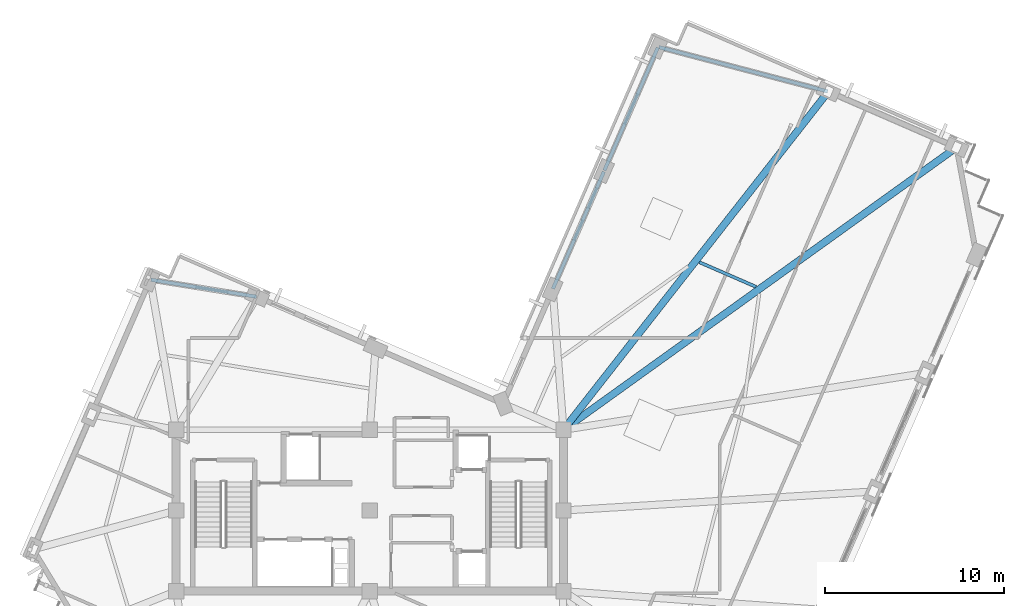
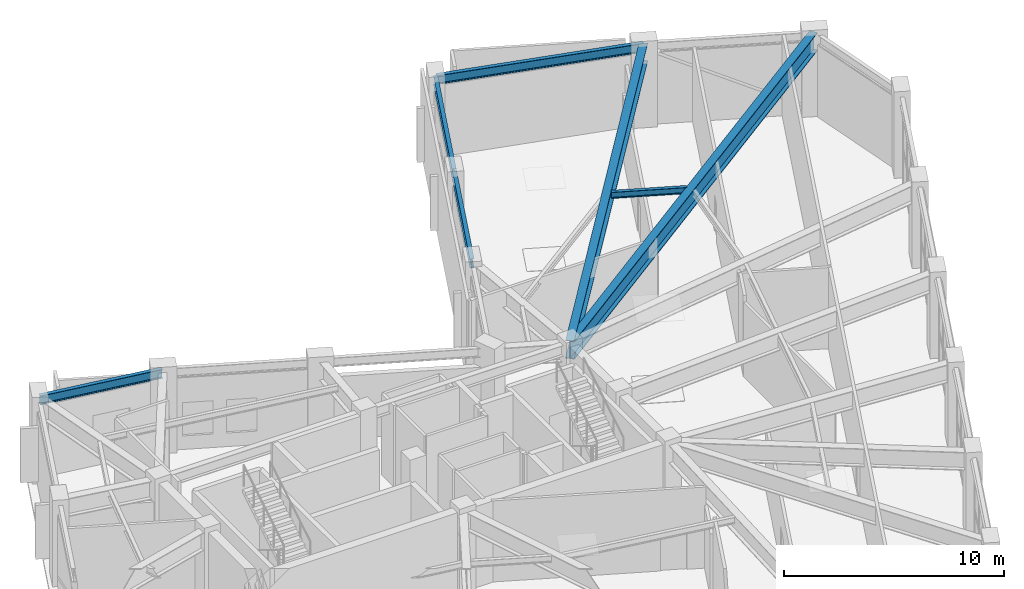
# One storey, part 6 of 16: 7 beams.
"""IFC4 building model written with IfcOpenShell, lengths in metres."""

from ifc_helpers import new_model, si_unit, direction, frame, origin, origin_2d, place, context, subcontext, project, spatial, i_section, extrude, material, material_profile, profile_set, type_object, element, save


model = new_model("IFC4")

# Units and contexts
model_context = context("Model", 3, precision=1e-05, world=origin(), true_north=direction((0.0, 1.0)))
body_context = subcontext(model_context, "Body", "Model", "MODEL_VIEW")
ifc_project = project(units=[si_unit("LENGTHUNIT", "METRE"), si_unit("AREAUNIT", "SQUARE_METRE"), si_unit("VOLUMEUNIT", "CUBIC_METRE"), si_unit("PLANEANGLEUNIT", "RADIAN"), si_unit("MASSUNIT", "GRAM", prefix="KILO")], contexts=[model_context])

# Site, building, storey
site_placement = place(None, origin())
site = spatial("IfcSite", under=ifc_project, at=site_placement, CompositionType="ELEMENT")
building_placement = place(site_placement, origin())
building = spatial("IfcBuilding", under=site, at=building_placement, Name="Gaonmaruhae Medical Tower", CompositionType="ELEMENT")
storey_placement = place(building_placement, frame((0.0, 0.0, 333.39990234375)))
storey = spatial("IfcBuildingStorey", under=building, at=storey_placement, Name="L80", CompositionType="ELEMENT", Elevation=333.39990234375)

# Beams
ifc_material_1 = material(Name="Steel SM420", Category="steel")
ifc_material_profile_1 = material_profile(ifc_material_1, i_section(OverallWidth=0.39990234375, OverallDepth=1.0, WebThickness=0.02197265625, FlangeThickness=0.035888671875, at=origin_2d()), Name="BH-1000x400x22x36")
ifc_profile_set_1 = profile_set([ifc_material_profile_1], Name="Steel SM420")
beam_type_1 = type_object("IfcBeamType", Name="BG-02 Refuge Floor Primary Girder (BH-1000x400x22x36)", PredefinedType="BEAM", material=ifc_profile_set_1)
beam_1_placement = place(storey_placement, frame((35.640625, 16.8291015625, 4.0), z_axis=(0.812127869731, 0.583479496818, 0.0), x_axis=(-0.583479496818, 0.812127869731, 0.0)))
element("IfcBeam", 1, at=beam_1_placement, inside=storey, type_object=beam_type_1, Name="L80 Radial Primary Girder E01", PredefinedType="BEAM", context=body_context, shape_type="SweptSolid", body=[
    extrude(i_section(OverallWidth=0.39990234375, OverallDepth=1.0, WebThickness=0.02197265625, FlangeThickness=0.035888671875, at=origin_2d()), origin(), (0.0, 0.0, 1.0), 26.89794921875),
])
beam_2_placement = place(storey_placement, frame((35.630859375, 16.83935546875, 4.0), z_axis=(0.616575305367, 0.78729593725, 0.0), x_axis=(-0.78729593725, 0.616575305367, 0.0)))
element("IfcBeam", 2, at=beam_2_placement, inside=storey, type_object=beam_type_1, Name="L80 Radial Primary Girder E02", PredefinedType="BEAM", context=body_context, shape_type="SweptSolid", body=[
    extrude(i_section(OverallWidth=0.39990234375, OverallDepth=1.0, WebThickness=0.02197265625, FlangeThickness=0.035888671875, at=origin_2d()), origin(), (0.0, 0.0, 1.0), 23.859130859375),
])
ifc_material_2 = material(Name="Steel SM355", Category="steel")
ifc_material_profile_2 = material_profile(ifc_material_2, i_section(OverallWidth=0.175048828125, OverallDepth=0.35009765625, WebThickness=0.007080078125, FlangeThickness=0.010986328125, FilletRadius=0.012939453125, at=origin_2d()), Name="H-350x175x7x11")
ifc_profile_set_2 = profile_set([ifc_material_profile_2], Name="Steel SM355")
beam_type_2 = type_object("IfcBeamType", Name="FJ-02 Upper Zone Ward Floor Joist (H-350x175x7x11)", PredefinedType="JOIST", material=ifc_profile_set_2)
beam_3_placement = place(storey_placement, frame((46.34375, 24.771484375, 4.3251953125), z_axis=(-0.917037412136, 0.39880118448, 0.0), x_axis=(-0.39880118448, -0.917037412136, 0.0)))
element("IfcBeam", 3, at=beam_3_placement, inside=storey, type_object=beam_type_2, Name="L80 Secondary Floor Joist FJ06", PredefinedType="JOIST", context=body_context, shape_type="SweptSolid", body=[
    extrude(i_section(OverallWidth=0.175048828125, OverallDepth=0.35009765625, WebThickness=0.007080078125, FlangeThickness=0.010986328125, FilletRadius=0.012939453125, at=origin_2d()), origin(), (0.0, 0.0, 1.0), 3.448486328125),
])
ifc_material_profile_3 = material_profile(ifc_material_2, i_section(OverallWidth=0.199951171875, OverallDepth=0.5, WebThickness=0.010009765625, FlangeThickness=0.01611328125, FilletRadius=0.012939453125, at=origin_2d()), Name="H-500x200x10x16")
ifc_profile_set_3 = profile_set([ifc_material_profile_3], Name="Steel SM355")
beam_type_3 = type_object("IfcBeamType", Name="SP-02 Upper Perimeter Spandrel Beam (H-500x200x10x16)", PredefinedType="SPANDREL", material=ifc_profile_set_3)
beam_4_placement = place(storey_placement, frame((50.333984375, 35.673095703125, 4.25), z_axis=(-0.967227039177, 0.253913084904, 0.0), x_axis=(-0.253913084904, -0.967227039177, 0.0)))
element("IfcBeam", 4, at=beam_4_placement, inside=storey, type_object=beam_type_3, Name="L80 Perimeter Spandrel Beam E02-E03", PredefinedType="SPANDREL", context=body_context, shape_type="SweptSolid", body=[
    extrude(i_section(OverallWidth=0.199951171875, OverallDepth=0.5, WebThickness=0.010009765625, FlangeThickness=0.01611328125, FilletRadius=0.012939453125, at=origin_2d()), origin(), (0.0, 0.0, 1.0), 9.7353515625),
])
beam_5_placement = place(storey_placement, frame((40.863037109375, 38.118408203125, 4.25), z_axis=(-0.398738062403, -0.917064860079, 0.0), x_axis=(0.917064860079, -0.398738062403, 0.0)))
element("IfcBeam", 5, at=beam_5_placement, inside=storey, type_object=beam_type_3, Name="L80 Perimeter Spandrel Beam E03-EN01", PredefinedType="SPANDREL", context=body_context, shape_type="SweptSolid", body=[
    extrude(i_section(OverallWidth=0.199951171875, OverallDepth=0.5, WebThickness=0.010009765625, FlangeThickness=0.01611328125, FilletRadius=0.012939453125, at=origin_2d()), origin(), (0.0, 0.0, 1.0), 7.469970703125),
])
beam_6_placement = place(storey_placement, frame((37.8525390625, 31.194580078125, 4.25), z_axis=(-0.398759965154, -0.917055336493, 0.0), x_axis=(0.917055336493, -0.398759965154, 0.0)))
element("IfcBeam", 6, at=beam_6_placement, inside=storey, type_object=beam_type_3, Name="L80 Perimeter Spandrel Beam EN01-EN02", PredefinedType="SPANDREL", context=body_context, shape_type="SweptSolid", body=[
    extrude(i_section(OverallWidth=0.199951171875, OverallDepth=0.5, WebThickness=0.010009765625, FlangeThickness=0.01611328125, FilletRadius=0.012939453125, at=origin_2d()), origin(), (0.0, 0.0, 1.0), 7.119873046875),
])
beam_7_placement = place(storey_placement, frame((18.4765625, 24.22265625, 4.25), z_axis=(-0.987363817678, 0.158469844265, 0.0), x_axis=(-0.158469844265, -0.987363817678, 0.0)))
element("IfcBeam", 7, at=beam_7_placement, inside=storey, type_object=beam_type_3, Name="L80 Perimeter Spandrel Beam NE02-N01", PredefinedType="SPANDREL", context=body_context, shape_type="SweptSolid", body=[
    extrude(i_section(OverallWidth=0.199951171875, OverallDepth=0.5, WebThickness=0.010009765625, FlangeThickness=0.01611328125, FilletRadius=0.012939453125, at=origin_2d()), origin(), (0.0, 0.0, 1.0), 5.958984375),
])

save(model, "model.ifc")
